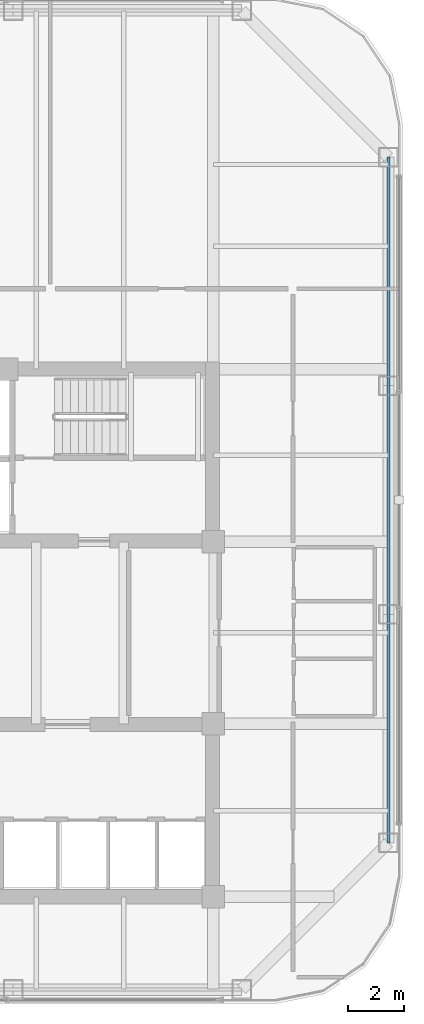
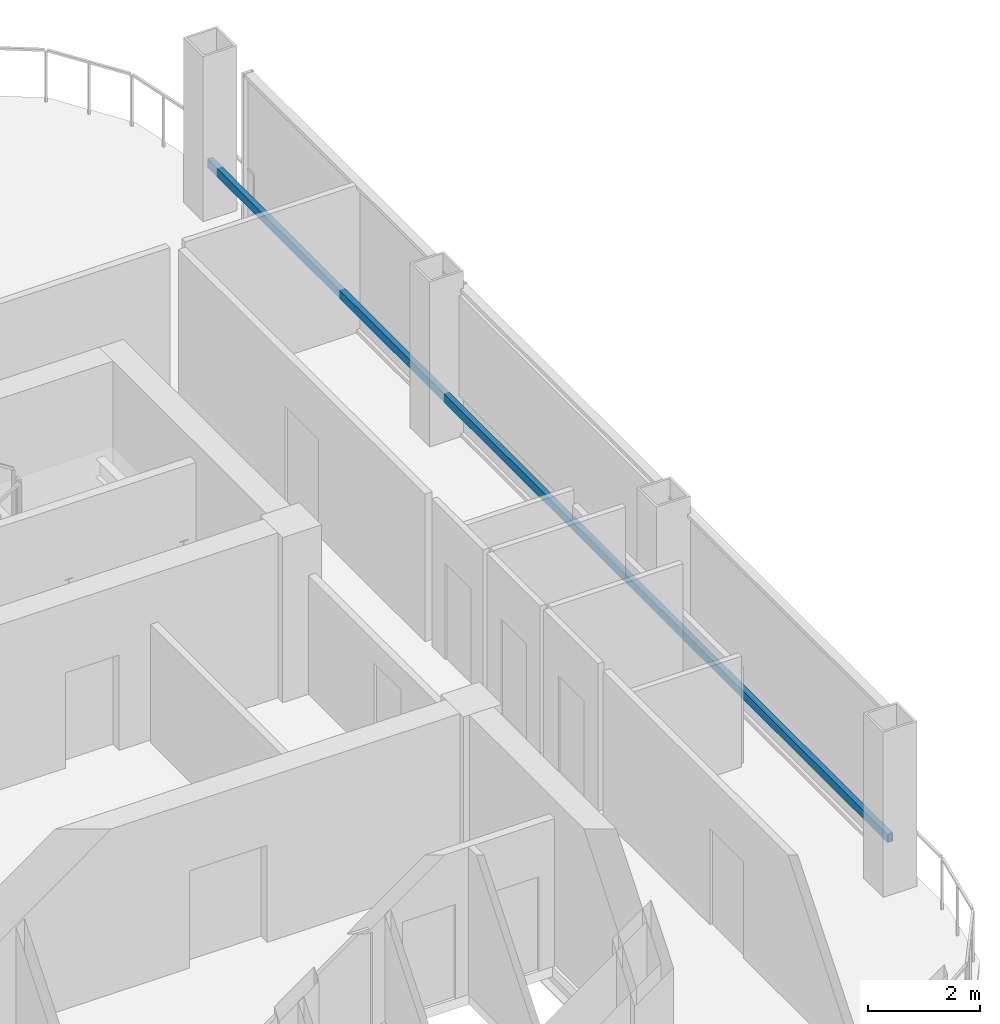
# One storey, part 9 of 19: 1 member.
"""IFC4 building model written with IfcOpenShell, lengths in metres."""

from ifc_helpers import new_model, si_unit, direction, frame, origin, origin_2d, place, context, subcontext, project, spatial, hollow_rectangle, extrude, material, material_profile, profile_set, type_object, element, save


model = new_model("IFC4")

# Units and contexts
model_context = context("Model", 3, precision=1e-05, world=origin(), true_north=direction((0.0, 1.0)))
body_context = subcontext(model_context, "Body", "Model", "MODEL_VIEW")
ifc_project = project(units=[si_unit("LENGTHUNIT", "METRE"), si_unit("AREAUNIT", "SQUARE_METRE"), si_unit("VOLUMEUNIT", "CUBIC_METRE"), si_unit("PLANEANGLEUNIT", "RADIAN"), si_unit("MASSUNIT", "GRAM", prefix="KILO")], contexts=[model_context])

# Site, building, storey
site_placement = place(None, origin())
site = spatial("IfcSite", under=ifc_project, at=site_placement, CompositionType="ELEMENT")
building_placement = place(site_placement, origin())
building = spatial("IfcBuilding", under=site, at=building_placement, Name="Qhalaya Broadcast Tower", CompositionType="ELEMENT")
storey_placement = place(building_placement, frame((0.0, 0.0, 148.199951171875)))
storey = spatial("IfcBuildingStorey", under=building, at=storey_placement, Name="L43", CompositionType="ELEMENT", Elevation=148.199951171875)

# Member
ifc_material = material(Name="Fired Architectural Terracotta", Category="masonry")
ifc_material_profile = material_profile(ifc_material, hollow_rectangle(XDim=0.110107421875, YDim=0.179931640625, WallThickness=0.01806640625, at=origin_2d()), Name="TB-BAG 110x180x18")
ifc_profile_set = profile_set([ifc_material_profile], Name="Fired Architectural Terracotta")
member_type = type_object("IfcMemberType", Name="Fired Terracotta Facade Baguette Member TB1", PredefinedType="USERDEFINED", material=ifc_profile_set)
member_placement = place(storey_placement, frame((15.580078125, -6.840087890625, 0.966064453125), z_axis=(0.0, 1.0, 0.0), x_axis=(-1.0, 0.0, 0.0)))
element("IfcMember", 1, at=member_placement, inside=storey, type_object=member_type, Name="L43 Terracotta Baguette Feature Rail E", ObjectType="BAGUETTE", PredefinedType="USERDEFINED", context=body_context, shape_type="SweptSolid", body=[
    extrude(hollow_rectangle(XDim=0.110107421875, YDim=0.179931640625, WallThickness=0.01806640625, at=origin_2d()), origin(), (0.0, 0.0, 1.0), 24.300048828125),
])

save(model, "model.ifc")
